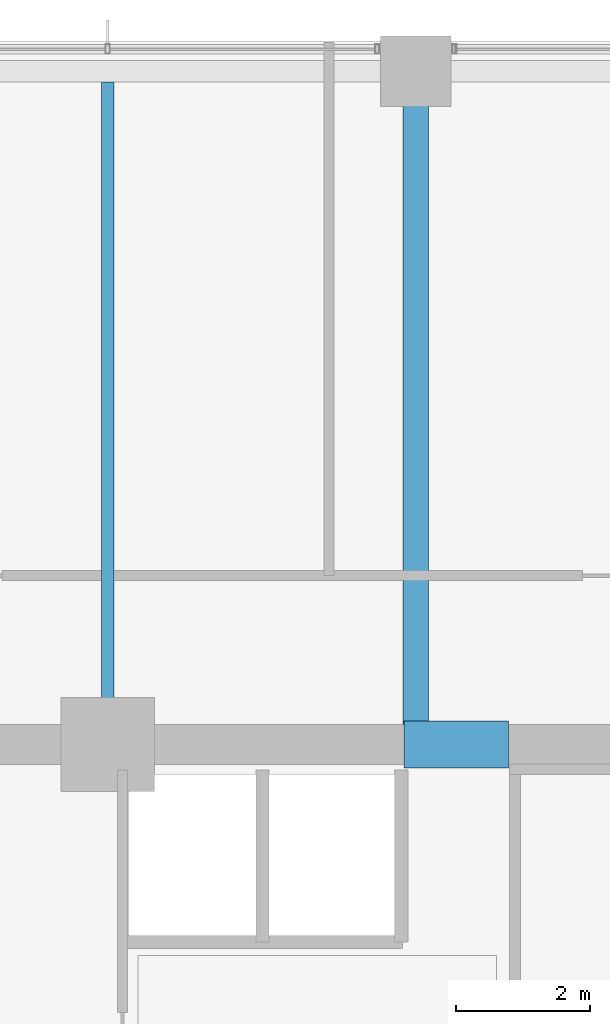
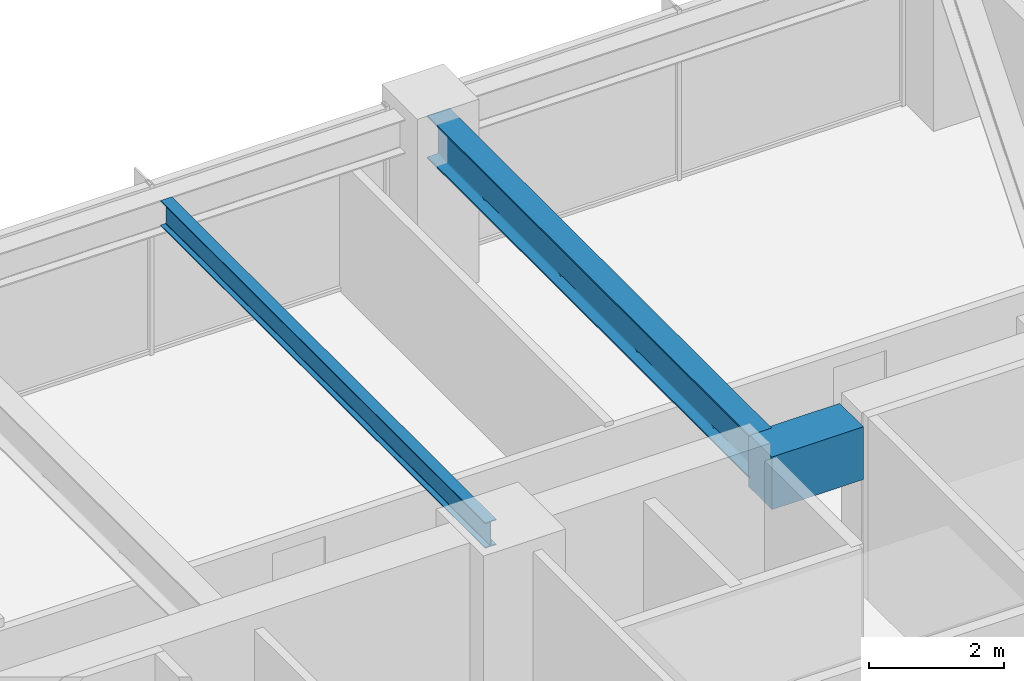
# One storey, part 19 of 38: 3 beams.
"""IFC4 building model written with IfcOpenShell, lengths in metres."""

from ifc_helpers import new_model, si_unit, direction, frame, origin, origin_2d, place, context, subcontext, project, spatial, rectangle, i_section, extrude, material, material_profile, profile_set, type_object, element, save


model = new_model("IFC4")

# Units and contexts
model_context = context("Model", 3, precision=1e-05, world=origin(), true_north=direction((0.0, 1.0)))
body_context = subcontext(model_context, "Body", "Model", "MODEL_VIEW")
ifc_project = project(units=[si_unit("LENGTHUNIT", "METRE"), si_unit("AREAUNIT", "SQUARE_METRE"), si_unit("VOLUMEUNIT", "CUBIC_METRE"), si_unit("PLANEANGLEUNIT", "RADIAN"), si_unit("MASSUNIT", "GRAM", prefix="KILO")], contexts=[model_context])

# Site, building, storey
site_placement = place(None, origin())
site = spatial("IfcSite", under=ifc_project, at=site_placement, CompositionType="ELEMENT")
building_placement = place(site_placement, origin())
building = spatial("IfcBuilding", under=site, at=building_placement, Name="Kolvaren Belvedere", CompositionType="ELEMENT")
storey_placement = place(building_placement, frame((0.0, 0.0, 101.89990234375)))
storey = spatial("IfcBuildingStorey", under=building, at=storey_placement, Name="L29", CompositionType="ELEMENT", Elevation=101.89990234375)

# Beams
ifc_material_1 = material(Name="Structural steel ASTM A992 Grade 50", Category="steel")
ifc_material_profile_1 = material_profile(ifc_material_1, i_section(OverallWidth=0.381103515625, OverallDepth=0.77294921875, WebThickness=0.0166015625, FlangeThickness=0.027099609375, FilletRadius=0.02392578125, at=origin_2d()), Name="W30X173")
ifc_profile_set_1 = profile_set([ifc_material_profile_1], Name="Structural steel ASTM A992 Grade 50")
beam_type_1 = type_object("IfcBeamType", Name="BM-GIRD-W30X173", PredefinedType="BEAM", material=ifc_profile_set_1)
beam_1_placement = place(storey_placement, frame((4.60009765625, 10.199951171875, 2.693603515625), z_axis=(0.0, 1.0, 0.0), x_axis=(-1.0, 0.0, 0.0)))
element("IfcBeam", 1, at=beam_1_placement, inside=storey, type_object=beam_type_1, Name="L29 North Radial Girder P", PredefinedType="BEAM", context=body_context, shape_type="SweptSolid", body=[
    extrude(i_section(OverallWidth=0.381103515625, OverallDepth=0.77294921875, WebThickness=0.0166015625, FlangeThickness=0.027099609375, FilletRadius=0.02392578125, at=origin_2d()), origin(), (0.0, 0.0, 1.0), 9.513916015625),
])
ifc_material_2 = material(Name="Structural steel ASTM A992 Grade 50", Category="steel")
ifc_material_profile_2 = material_profile(ifc_material_2, i_section(OverallWidth=0.19091796875, OverallDepth=0.4599609375, WebThickness=0.010009765625, FlangeThickness=0.01611328125, FilletRadius=0.014892578125, at=origin_2d()), Name="W18X55")
ifc_profile_set_2 = profile_set([ifc_material_profile_2], Name="Structural steel ASTM A992 Grade 50")
beam_type_2 = type_object("IfcBeamType", Name="BM-JOIST-W18X55", PredefinedType="BEAM", material=ifc_profile_set_2)
beam_2_placement = place(storey_placement, frame((0.0, 10.199951171875, 2.85009765625), z_axis=(0.0, 1.0, 0.0), x_axis=(-1.0, 0.0, 0.0)))
element("IfcBeam", 2, at=beam_2_placement, inside=storey, type_object=beam_type_2, Name="L29 North Centre Floor Beam", PredefinedType="BEAM", context=body_context, shape_type="SweptSolid", body=[
    extrude(i_section(OverallWidth=0.19091796875, OverallDepth=0.4599609375, WebThickness=0.010009765625, FlangeThickness=0.01611328125, FilletRadius=0.014892578125, at=origin_2d()), origin(), (0.0, 0.0, 1.0), 9.587646484375),
])
ifc_material_3 = material(Name="Concrete C60/75", Category="concrete")
ifc_material_profile_3 = material_profile(ifc_material_3, rectangle(XDim=0.699951171875, YDim=0.949951171875, at=origin_2d()), Name="RC 700X950")
ifc_profile_set_3 = profile_set([ifc_material_profile_3], Name="Concrete C60/75")
beam_type_3 = type_object("IfcBeamType", Name="BM-LINT-950", PredefinedType="LINTEL", material=ifc_profile_set_3)
beam_3_placement = place(storey_placement, frame((4.419921875, 9.89990234375, 2.60498046875), z_axis=(1.0, 0.0, 0.0), x_axis=(0.0, 1.0, 0.0)))
element("IfcBeam", 3, at=beam_3_placement, inside=storey, type_object=beam_type_3, Name="L29 North Core Coupling Lintel", PredefinedType="LINTEL", context=body_context, shape_type="SweptSolid", body=[
    extrude(rectangle(XDim=0.699951171875, YDim=0.949951171875, at=origin_2d()), origin(), (0.0, 0.0, 1.0), 1.56005859375),
])

save(model, "model.ifc")
